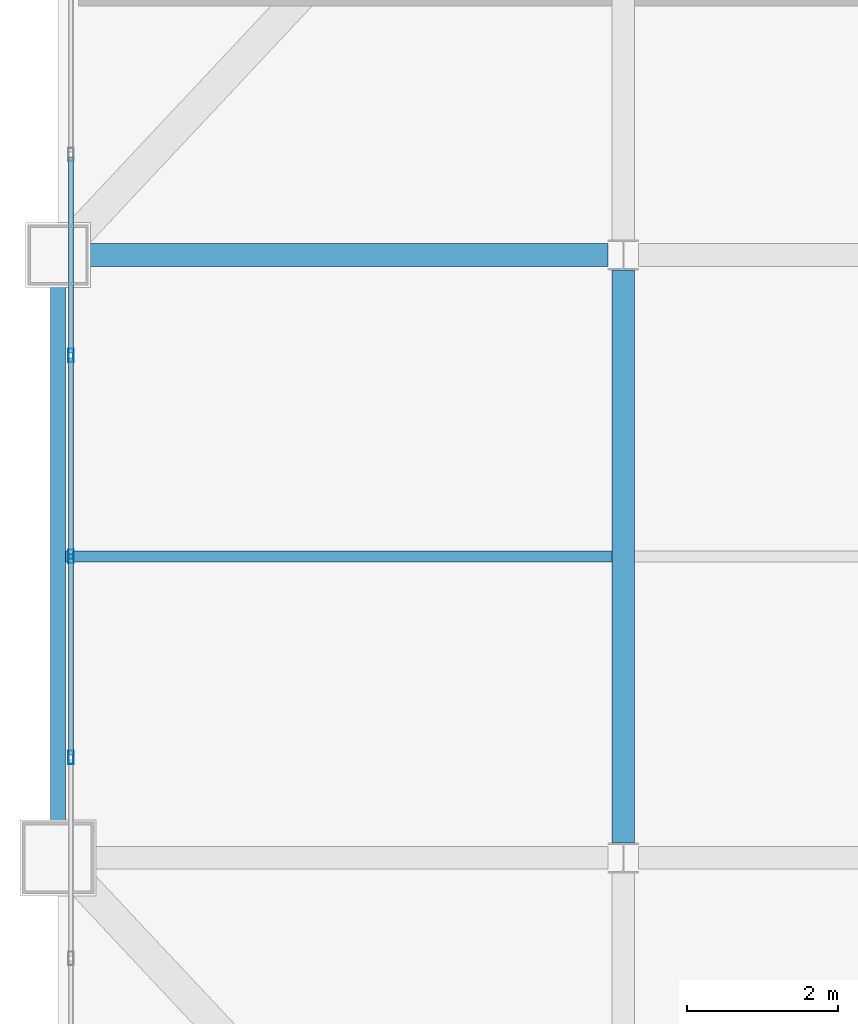
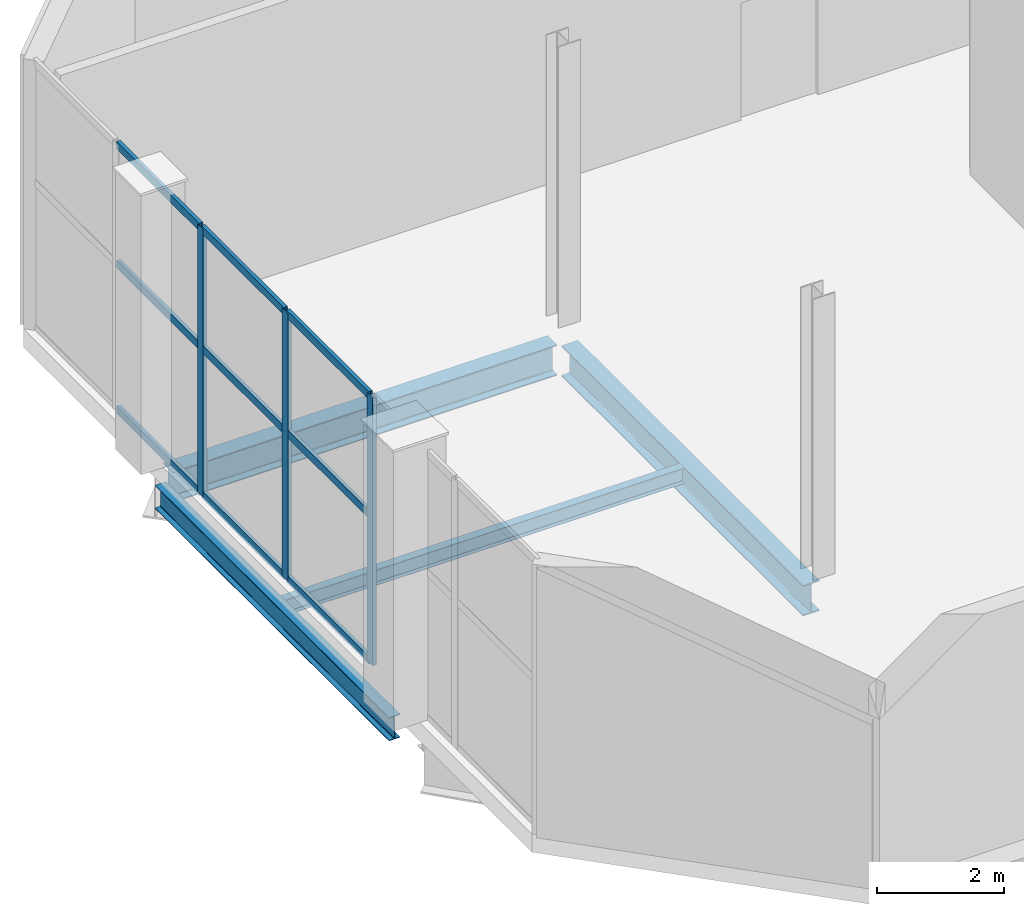
# One storey, part 6 of 23: 12 members, 4 beams, 1 element without a shape of its own.
"""IFC4 building model written with IfcOpenShell, lengths in metres."""

from ifc_helpers import new_model, si_unit, direction, frame, origin, origin_2d, place, context, subcontext, project, spatial, hollow_rectangle, i_section, extrude, material, layer, layer_set, material_profile, profile_set, type_object, element, aggregate, save


model = new_model("IFC4")

# Units and contexts
model_context = context("Model", 3, precision=1e-05, world=origin(), true_north=direction((0.0, 1.0)))
body_context = subcontext(model_context, "Body", "Model", "MODEL_VIEW")
ifc_project = project(units=[si_unit("LENGTHUNIT", "METRE"), si_unit("AREAUNIT", "SQUARE_METRE"), si_unit("VOLUMEUNIT", "CUBIC_METRE"), si_unit("PLANEANGLEUNIT", "RADIAN"), si_unit("MASSUNIT", "GRAM", prefix="KILO")], contexts=[model_context])

# Site, building, storey
site_placement = place(None, origin())
site = spatial("IfcSite", under=ifc_project, at=site_placement, CompositionType="ELEMENT")
building_placement = place(site_placement, origin())
building = spatial("IfcBuilding", under=site, at=building_placement, Name="Qianrong Seaharbour Tower", CompositionType="ELEMENT")
storey_placement = place(building_placement, frame((0.0, 0.0, 281.800048828125)))
storey = spatial("IfcBuildingStorey", under=building, at=storey_placement, Name="L68", CompositionType="ELEMENT", Elevation=281.800048828125)

# Beams
ifc_material_1 = material(Name="Structural steel SN490B", Category="steel")
ifc_material_profile_1 = material_profile(ifc_material_1, i_section(OverallWidth=0.300048828125, OverallDepth=0.587890625, WebThickness=0.011962890625, FlangeThickness=0.02001953125, FilletRadius=0.02392578125, at=origin_2d()), Name="H588x300x12x20")
ifc_profile_set_1 = profile_set([ifc_material_profile_1], Name="Structural steel SN490B")
beam_type_1 = type_object("IfcBeamType", Name="BM-G-588", PredefinedType="BEAM", material=ifc_profile_set_1)
beam_1_placement = place(storey_placement, frame((9.320068359375, 44.0, -0.64404296875), z_axis=(1.0, 0.0, 0.0), x_axis=(0.0, 1.0, 0.0)))
element("IfcBeam", 1, at=beam_1_placement, inside=storey, type_object=beam_type_1, Name="L68 Primary Girder GG G2-G3", PredefinedType="BEAM", context=body_context, shape_type="SweptSolid", body=[
    extrude(i_section(OverallWidth=0.300048828125, OverallDepth=0.587890625, WebThickness=0.011962890625, FlangeThickness=0.02001953125, FilletRadius=0.02392578125, at=origin_2d()), origin(), (0.0, 0.0, 1.0), 6.97998046875),
])
beam_2_placement = place(storey_placement, frame((16.5, 36.199951171875, -0.64404296875), z_axis=(0.0, 1.0, 0.0), x_axis=(-1.0, 0.0, 0.0)))
element("IfcBeam", 2, at=beam_2_placement, inside=storey, type_object=beam_type_1, Name="L68 Primary Girder G3 GF-GG", PredefinedType="BEAM", context=body_context, shape_type="SweptSolid", body=[
    extrude(i_section(OverallWidth=0.300048828125, OverallDepth=0.587890625, WebThickness=0.011962890625, FlangeThickness=0.02001953125, FilletRadius=0.02392578125, at=origin_2d()), origin(), (0.0, 0.0, 1.0), 7.60009765625),
])
ifc_material_2 = material(Name="Structural steel SN400B", Category="steel")
ifc_material_profile_2 = material_profile(ifc_material_2, i_section(OverallWidth=0.14990234375, OverallDepth=0.300048828125, WebThickness=0.006591796875, FlangeThickness=0.009033203125, FilletRadius=0.012939453125, at=origin_2d()), Name="H300x150x6.5x9")
ifc_profile_set_2 = profile_set([ifc_material_profile_2], Name="Structural steel SN400B")
beam_type_2 = type_object("IfcBeamType", Name="BM-J-300", PredefinedType="JOIST", material=ifc_profile_set_2)
beam_3_placement = place(storey_placement, frame((9.10009765625, 40.0, -0.5), z_axis=(1.0, 0.0, 0.0), x_axis=(0.0, 1.0, 0.0)))
element("IfcBeam", 3, at=beam_3_placement, inside=storey, type_object=beam_type_2, Name="L68 Composite Floor Joist G2-G3/GF-GG", PredefinedType="JOIST", context=body_context, shape_type="SweptSolid", body=[
    extrude(i_section(OverallWidth=0.14990234375, OverallDepth=0.300048828125, WebThickness=0.006591796875, FlangeThickness=0.009033203125, FilletRadius=0.012939453125, at=origin_2d()), origin(), (0.0, 0.0, 1.0), 7.25),
])
ifc_material_profile_3 = material_profile(ifc_material_2, i_section(OverallWidth=0.199951171875, OverallDepth=0.449951171875, WebThickness=0.009033203125, FlangeThickness=0.013916015625, FilletRadius=0.01806640625, at=origin_2d()), Name="H450x200x9x14")
ifc_profile_set_3 = profile_set([ifc_material_profile_3], Name="Structural steel SN400B")
beam_type_3 = type_object("IfcBeamType", Name="BM-SP-450", PredefinedType="SPANDREL", material=ifc_profile_set_3)
beam_4_placement = place(storey_placement, frame((9.0, 36.320068359375, -0.574951171875), z_axis=(0.0, 1.0, 0.0), x_axis=(-1.0, 0.0, 0.0)))
element("IfcBeam", 4, at=beam_4_placement, inside=storey, type_object=beam_type_3, Name="L68 Spandrel Girder G2 GF-GG", PredefinedType="SPANDREL", context=body_context, shape_type="SweptSolid", body=[
    extrude(i_section(OverallWidth=0.199951171875, OverallDepth=0.449951171875, WebThickness=0.009033203125, FlangeThickness=0.013916015625, FilletRadius=0.01806640625, at=origin_2d()), origin(), (0.0, 0.0, 1.0), 7.35986328125),
])

# Curtain wall, members
ifc_material_3 = material(Name="Anodised aluminium 6063-T6 and laminated low-e glass", Category="aluminium")
ifc_layer = layer(ifc_material_3, 0.18505859375)
ifc_layer_set = layer_set([ifc_layer], Name="Anodised aluminium 6063-T6 and laminated low-e glass")
curtain_wall_type = type_object("IfcCurtainWallType", Name="CW-SYS-4", PredefinedType="NOTDEFINED", material=ifc_layer_set)
curtain_wall_placement = place(storey_placement, origin())
curtain_wall = element("IfcCurtainWall", 5, at=curtain_wall_placement, inside=storey, type_object=curtain_wall_type, Name="L68 Refuge Acoustic Louvre Curtain Wall WEST_TIP", PredefinedType="NOTDEFINED")
ifc_material_4 = material(Name="Extruded aluminium 6063-T6", Category="aluminium")
ifc_material_profile_4 = material_profile(ifc_material_4, hollow_rectangle(XDim=0.070068359375, YDim=0.179931640625, WallThickness=0.00390625, at=origin_2d()), Name="ALU-MUL-180x70x4")
ifc_profile_set_4 = profile_set([ifc_material_profile_4], Name="Extruded aluminium 6063-T6")
member_type_1 = type_object("IfcMemberType", Name="CW-MUL-180", PredefinedType="MULLION", material=ifc_profile_set_4)
member_1_placement = place(storey_placement, frame((9.169921875, 37.333251953125, 0.0), z_axis=(0.0, 0.0, 1.0), x_axis=(-1.0, 0.0, 0.0)))
member_1 = element("IfcMember", 6, at=member_1_placement, type_object=member_type_1, Name="CW-4 mullion 3", PredefinedType="MULLION", context=body_context, shape_type="SweptSolid", body=[
    extrude(hollow_rectangle(XDim=0.070068359375, YDim=0.179931640625, WallThickness=0.00390625, at=origin_2d()), origin(), (0.0, 0.0, 1.0), 5.14501953125),
])
member_2_placement = place(storey_placement, frame((9.169921875, 40.0, 0.0), z_axis=(0.0, 0.0, 1.0), x_axis=(-1.0, 0.0, 0.0)))
member_2 = element("IfcMember", 7, at=member_2_placement, type_object=member_type_1, Name="CW-4 mullion 4", PredefinedType="MULLION", context=body_context, shape_type="SweptSolid", body=[
    extrude(hollow_rectangle(XDim=0.070068359375, YDim=0.179931640625, WallThickness=0.00390625, at=origin_2d()), origin(), (0.0, 0.0, 1.0), 5.14501953125),
])
member_3_placement = place(storey_placement, frame((9.169921875, 42.666748046875, 0.0), z_axis=(0.0, 0.0, 1.0), x_axis=(-1.0, 0.0, 0.0)))
member_3 = element("IfcMember", 8, at=member_3_placement, type_object=member_type_1, Name="CW-4 mullion 5", PredefinedType="MULLION", context=body_context, shape_type="SweptSolid", body=[
    extrude(hollow_rectangle(XDim=0.070068359375, YDim=0.179931640625, WallThickness=0.00390625, at=origin_2d()), origin(), (0.0, 0.0, 1.0), 5.14501953125),
])
ifc_material_profile_5 = material_profile(ifc_material_4, hollow_rectangle(XDim=0.06494140625, YDim=0.14990234375, WallThickness=0.00390625, at=origin_2d()), Name="ALU-TRN-150x65x4")
ifc_profile_set_5 = profile_set([ifc_material_profile_5], Name="Extruded aluminium 6063-T6")
member_type_2 = type_object("IfcMemberType", Name="CW-TRN-150", PredefinedType="USERDEFINED", material=ifc_profile_set_5)
member_4_placement = place(storey_placement, frame((9.169921875, 37.368408203125, 0.032470703125), z_axis=(0.0, 1.0, 0.0), x_axis=(-1.0, 0.0, 0.0)))
member_4 = element("IfcMember", 9, at=member_4_placement, type_object=member_type_2, Name="CW-4 transom 3.1", ObjectType="TRANSOM", PredefinedType="USERDEFINED", context=body_context, shape_type="SweptSolid", body=[
    extrude(hollow_rectangle(XDim=0.06494140625, YDim=0.14990234375, WallThickness=0.00390625, at=origin_2d()), origin(), (0.0, 0.0, 1.0), 2.5966796875),
])
member_5_placement = place(storey_placement, frame((9.169921875, 37.368408203125, 2.829833984375), z_axis=(0.0, 1.0, 0.0), x_axis=(-1.0, 0.0, 0.0)))
member_5 = element("IfcMember", 10, at=member_5_placement, type_object=member_type_2, Name="CW-4 transom 3.2", ObjectType="TRANSOM", PredefinedType="USERDEFINED", context=body_context, shape_type="SweptSolid", body=[
    extrude(hollow_rectangle(XDim=0.06494140625, YDim=0.14990234375, WallThickness=0.00390625, at=origin_2d()), origin(), (0.0, 0.0, 1.0), 2.5966796875),
])
member_6_placement = place(storey_placement, frame((9.169921875, 37.368408203125, 5.112548828125), z_axis=(0.0, 1.0, 0.0), x_axis=(-1.0, 0.0, 0.0)))
member_6 = element("IfcMember", 11, at=member_6_placement, type_object=member_type_2, Name="CW-4 transom 3.3", ObjectType="TRANSOM", PredefinedType="USERDEFINED", context=body_context, shape_type="SweptSolid", body=[
    extrude(hollow_rectangle(XDim=0.06494140625, YDim=0.14990234375, WallThickness=0.00390625, at=origin_2d()), origin(), (0.0, 0.0, 1.0), 2.5966796875),
])
member_7_placement = place(storey_placement, frame((9.169921875, 40.034912109375, 0.032470703125), z_axis=(0.0, 1.0, 0.0), x_axis=(-1.0, 0.0, 0.0)))
member_7 = element("IfcMember", 12, at=member_7_placement, type_object=member_type_2, Name="CW-4 transom 4.1", ObjectType="TRANSOM", PredefinedType="USERDEFINED", context=body_context, shape_type="SweptSolid", body=[
    extrude(hollow_rectangle(XDim=0.06494140625, YDim=0.14990234375, WallThickness=0.00390625, at=origin_2d()), origin(), (0.0, 0.0, 1.0), 2.5966796875),
])
member_8_placement = place(storey_placement, frame((9.169921875, 40.034912109375, 2.829833984375), z_axis=(0.0, 1.0, 0.0), x_axis=(-1.0, 0.0, 0.0)))
member_8 = element("IfcMember", 13, at=member_8_placement, type_object=member_type_2, Name="CW-4 transom 4.2", ObjectType="TRANSOM", PredefinedType="USERDEFINED", context=body_context, shape_type="SweptSolid", body=[
    extrude(hollow_rectangle(XDim=0.06494140625, YDim=0.14990234375, WallThickness=0.00390625, at=origin_2d()), origin(), (0.0, 0.0, 1.0), 2.5966796875),
])
member_9_placement = place(storey_placement, frame((9.169921875, 40.034912109375, 5.112548828125), z_axis=(0.0, 1.0, 0.0), x_axis=(-1.0, 0.0, 0.0)))
member_9 = element("IfcMember", 14, at=member_9_placement, type_object=member_type_2, Name="CW-4 transom 4.3", ObjectType="TRANSOM", PredefinedType="USERDEFINED", context=body_context, shape_type="SweptSolid", body=[
    extrude(hollow_rectangle(XDim=0.06494140625, YDim=0.14990234375, WallThickness=0.00390625, at=origin_2d()), origin(), (0.0, 0.0, 1.0), 2.5966796875),
])
member_10_placement = place(storey_placement, frame((9.169921875, 42.70166015625, 0.032470703125), z_axis=(0.0, 1.0, 0.0), x_axis=(-1.0, 0.0, 0.0)))
member_10 = element("IfcMember", 15, at=member_10_placement, type_object=member_type_2, Name="CW-4 transom 5.1", ObjectType="TRANSOM", PredefinedType="USERDEFINED", context=body_context, shape_type="SweptSolid", body=[
    extrude(hollow_rectangle(XDim=0.06494140625, YDim=0.14990234375, WallThickness=0.00390625, at=origin_2d()), origin(), (0.0, 0.0, 1.0), 2.5966796875),
])
member_11_placement = place(storey_placement, frame((9.169921875, 42.70166015625, 2.829833984375), z_axis=(0.0, 1.0, 0.0), x_axis=(-1.0, 0.0, 0.0)))
member_11 = element("IfcMember", 16, at=member_11_placement, type_object=member_type_2, Name="CW-4 transom 5.2", ObjectType="TRANSOM", PredefinedType="USERDEFINED", context=body_context, shape_type="SweptSolid", body=[
    extrude(hollow_rectangle(XDim=0.06494140625, YDim=0.14990234375, WallThickness=0.00390625, at=origin_2d()), origin(), (0.0, 0.0, 1.0), 2.5966796875),
])
member_12_placement = place(storey_placement, frame((9.169921875, 42.70166015625, 5.112548828125), z_axis=(0.0, 1.0, 0.0), x_axis=(-1.0, 0.0, 0.0)))
member_12 = element("IfcMember", 17, at=member_12_placement, type_object=member_type_2, Name="CW-4 transom 5.3", ObjectType="TRANSOM", PredefinedType="USERDEFINED", context=body_context, shape_type="SweptSolid", body=[
    extrude(hollow_rectangle(XDim=0.06494140625, YDim=0.14990234375, WallThickness=0.00390625, at=origin_2d()), origin(), (0.0, 0.0, 1.0), 2.5966796875),
])
aggregate(curtain_wall, [member_1, member_2, member_3, member_4, member_5, member_6, member_7, member_8, member_9, member_10, member_11, member_12])

save(model, "model.ifc")
